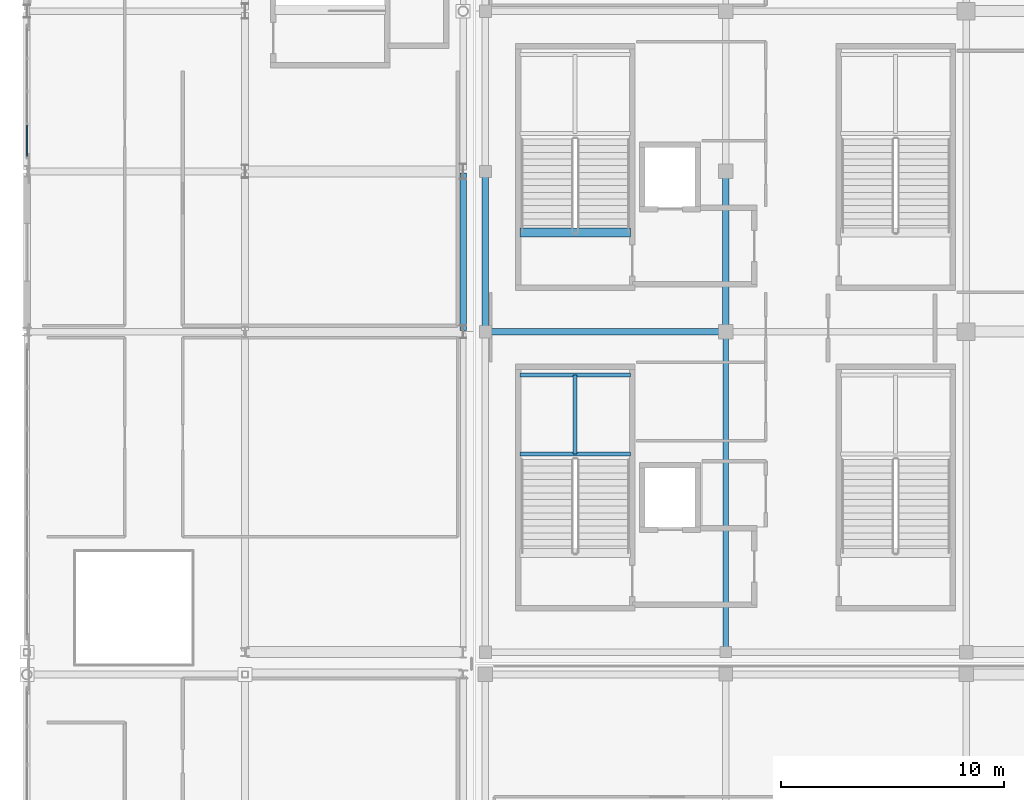
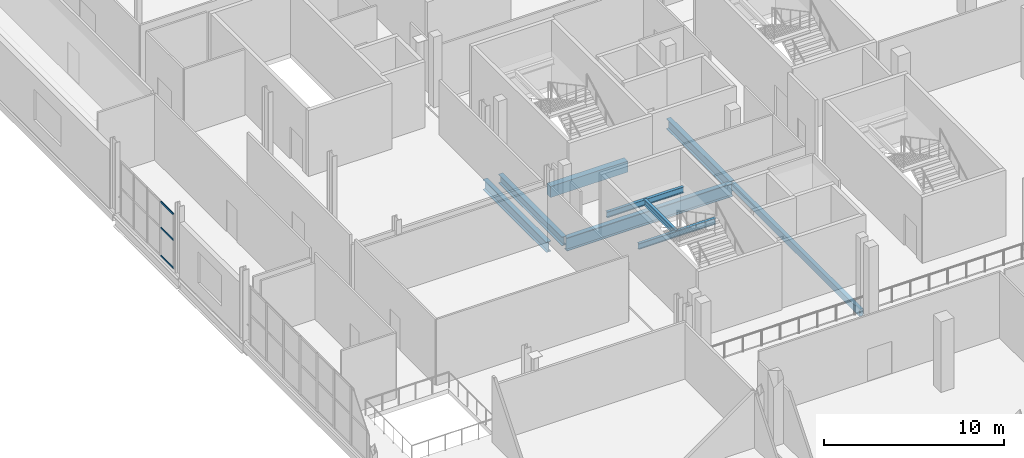
# One storey, part 19 of 142: 9 beams, 3 members, 1 element without a shape of its own.
"""IFC4 building model written with IfcOpenShell, lengths in metres."""

from ifc_helpers import new_model, si_unit, direction, frame, origin, origin_2d, place, context, subcontext, project, spatial, rectangle, hollow_rectangle, i_section, extrude, material, material_profile, profile_set, type_object, element, aggregate, save


model = new_model("IFC4")

# Units and contexts
model_context = context("Model", 3, precision=1e-05, world=origin(), true_north=direction((0.0, 1.0)))
body_context = subcontext(model_context, "Body", "Model", "MODEL_VIEW")
ifc_project = project(units=[si_unit("LENGTHUNIT", "METRE"), si_unit("AREAUNIT", "SQUARE_METRE"), si_unit("VOLUMEUNIT", "CUBIC_METRE"), si_unit("PLANEANGLEUNIT", "RADIAN"), si_unit("MASSUNIT", "GRAM", prefix="KILO")], contexts=[model_context])

# Site, building, storey
site_placement = place(None, origin())
site = spatial("IfcSite", under=ifc_project, at=site_placement, CompositionType="ELEMENT")
building_placement = place(site_placement, origin())
building = spatial("IfcBuilding", under=site, at=building_placement, Name="Koshinbarg Plaza Stadium", CompositionType="ELEMENT")
storey_placement = place(building_placement, frame((0.0, 0.0, 10.199951171875)))
storey = spatial("IfcBuildingStorey", under=building, at=storey_placement, Name="L02", CompositionType="ELEMENT", Elevation=10.199951171875)

# Beams
ifc_material_1 = material(Name="Concrete C40/50", Category="concrete")
ifc_material_profile_1 = material_profile(ifc_material_1, rectangle(XDim=0.39990234375, YDim=0.75, at=origin_2d()), Name="RC 400x750")
ifc_profile_set_1 = profile_set([ifc_material_profile_1], Name="Concrete C40/50")
beam_type_1 = type_object("IfcBeamType", Name="BM-RCG-03", PredefinedType="USERDEFINED", material=ifc_profile_set_1)
beam_1_placement = place(storey_placement, frame((26.14990234375, 44.360107421875, -0.375), z_axis=(1.0, 0.0, 0.0), x_axis=(0.0, 1.0, 0.0)))
element("IfcBeam", 1, at=beam_1_placement, inside=storey, type_object=beam_type_1, Name="L02 stair landing header beam C02", ObjectType="GIRDER", PredefinedType="USERDEFINED", context=body_context, shape_type="SweptSolid", body=[
    extrude(rectangle(XDim=0.39990234375, YDim=0.75, at=origin_2d()), origin(), (0.0, 0.0, 1.0), 4.97021484375),
])
ifc_material_2 = material(Name="Steel S355", Category="steel")
ifc_material_profile_2 = material_profile(ifc_material_2, i_section(OverallWidth=0.179931640625, OverallDepth=0.39990234375, WebThickness=0.008544921875, FlangeThickness=0.013427734375, at=origin_2d()), Name="IPE 400")
ifc_profile_set_2 = profile_set([ifc_material_profile_2], Name="Steel S355")
beam_type_2 = type_object("IfcBeamType", Name="BM-SBM-01", PredefinedType="BEAM", material=ifc_profile_set_2)
for number, where, z_axis, x_axis, name in (
    (2, (26.14990234375, 34.409912109375, 1.880126953125), (1.0, 0.0, 0.0), (0.0, 1.0, 0.0), "L02 Protected Exit Stair C01 landing trimmer beam 1"),
    (3, (26.14990234375, 37.949951171875, 1.880126953125), (1.0, 0.0, 0.0), (0.0, 1.0, 0.0), "L02 Protected Exit Stair C01 landing trimmer beam 2"),
):
    element("IfcBeam", number, at=place(storey_placement, frame(where, z_axis=z_axis, x_axis=x_axis)), inside=storey, type_object=beam_type_2, Name=name, PredefinedType="BEAM", context=body_context, shape_type="SweptSolid", body=[
        extrude(i_section(OverallWidth=0.179931640625, OverallDepth=0.39990234375, WebThickness=0.008544921875, FlangeThickness=0.013427734375, at=origin_2d()), origin(), (0.0, 0.0, 1.0), 4.97021484375),
    ])
beam_2_placement = place(storey_placement, frame((28.635009765625, 34.409912109375, 1.880126953125), z_axis=(0.0, 1.0, 0.0), x_axis=(-1.0, 0.0, 0.0)))
element("IfcBeam", 4, at=beam_2_placement, inside=storey, type_object=beam_type_2, Name="L02 Protected Exit Stair C01 landing trimmer beam 3", PredefinedType="BEAM", context=body_context, shape_type="SweptSolid", body=[
    extrude(i_section(OverallWidth=0.179931640625, OverallDepth=0.39990234375, WebThickness=0.008544921875, FlangeThickness=0.013427734375, at=origin_2d()), origin(), (0.0, 0.0, 1.0), 3.5400390625),
])
ifc_material_profile_3 = material_profile(ifc_material_2, i_section(OverallWidth=0.300048828125, OverallDepth=0.60009765625, WebThickness=0.015380859375, FlangeThickness=0.030029296875, at=origin_2d()), Name="HEB 600")
ifc_profile_set_3 = profile_set([ifc_material_profile_3], Name="Steel S355")
beam_type_3 = type_object("IfcBeamType", Name="BM-SGIR-02", PredefinedType="USERDEFINED", material=ifc_profile_set_3)
beam_3_placement = place(storey_placement, frame((24.60009765625, 39.9599609375, -0.599853515625), z_axis=(0.0, 1.0, 0.0), x_axis=(-1.0, 0.0, 0.0)))
element("IfcBeam", 5, at=beam_3_placement, inside=storey, type_object=beam_type_3, Name="L02 Y girder 5/F-G", ObjectType="GIRDER", PredefinedType="USERDEFINED", context=body_context, shape_type="SweptSolid", body=[
    extrude(i_section(OverallWidth=0.300048828125, OverallDepth=0.60009765625, WebThickness=0.015380859375, FlangeThickness=0.030029296875, at=origin_2d()), origin(), (0.0, 0.0, 1.0), 7.080078125),
])
ifc_material_profile_4 = material_profile(ifc_material_2, i_section(OverallWidth=0.300048828125, OverallDepth=0.699951171875, WebThickness=0.01708984375, FlangeThickness=0.031982421875, at=origin_2d()), Name="HEB 700")
ifc_profile_set_4 = profile_set([ifc_material_profile_4], Name="Steel S355")
beam_type_4 = type_object("IfcBeamType", Name="BM-SGIR-03", PredefinedType="USERDEFINED", material=ifc_profile_set_4)
for number, where, z_axis, x_axis, name in (
    (6, (23.60009765625, 39.9599609375, -0.64990234375), (0.0, 1.0, 0.0), (-1.0, 0.0, 0.0), "L02 Y girder 4/F-G"),
    (7, (35.39990234375, 39.9599609375, -0.64990234375), (0.0, 1.0, 0.0), (-1.0, 0.0, 0.0), "L02 Y girder 6/F-G"),
):
    element("IfcBeam", number, at=place(storey_placement, frame(where, z_axis=z_axis, x_axis=x_axis)), inside=storey, type_object=beam_type_4, Name=name, ObjectType="GIRDER", PredefinedType="USERDEFINED", context=body_context, shape_type="SweptSolid", body=[
        extrude(i_section(OverallWidth=0.300048828125, OverallDepth=0.699951171875, WebThickness=0.01708984375, FlangeThickness=0.031982421875, at=origin_2d()), origin(), (0.0, 0.0, 1.0), 7.080078125),
    ])
ifc_material_profile_5 = material_profile(ifc_material_2, i_section(OverallWidth=0.300048828125, OverallDepth=0.89990234375, WebThickness=0.0185546875, FlangeThickness=0.034912109375, at=origin_2d()), Name="HEB 900")
ifc_profile_set_5 = profile_set([ifc_material_profile_5], Name="Steel S355")
beam_type_5 = type_object("IfcBeamType", Name="BM-SGIR-05", PredefinedType="USERDEFINED", material=ifc_profile_set_5)
beam_4_placement = place(storey_placement, frame((24.659912109375, 39.89990234375, -0.75), z_axis=(1.0, 0.0, 0.0), x_axis=(0.0, 1.0, 0.0)))
element("IfcBeam", 8, at=beam_4_placement, inside=storey, type_object=beam_type_5, Name="L02 X girder F/5-6", ObjectType="GIRDER", PredefinedType="USERDEFINED", context=body_context, shape_type="SweptSolid", body=[
    extrude(i_section(OverallWidth=0.300048828125, OverallDepth=0.89990234375, WebThickness=0.0185546875, FlangeThickness=0.034912109375, at=origin_2d()), origin(), (0.0, 0.0, 1.0), 10.68017578125),
])
ifc_material_profile_6 = material_profile(ifc_material_2, hollow_rectangle(XDim=0.25, YDim=0.449951171875, WallThickness=0.01611328125, at=origin_2d()), Name="RHS 450x250x16")
ifc_profile_set_6 = profile_set([ifc_material_profile_6], Name="Steel S355")
beam_type_6 = type_object("IfcBeamType", Name="BM-SGIR-06", PredefinedType="USERDEFINED", material=ifc_profile_set_6)
beam_5_placement = place(storey_placement, frame((35.39990234375, 25.56005859375, -0.52490234375), z_axis=(0.0, 1.0, 0.0), x_axis=(-1.0, 0.0, 0.0)))
element("IfcBeam", 9, at=beam_5_placement, inside=storey, type_object=beam_type_6, Name="L02 Y girder 6/E-F", ObjectType="GIRDER", PredefinedType="USERDEFINED", context=body_context, shape_type="SweptSolid", body=[
    extrude(hollow_rectangle(XDim=0.25, YDim=0.449951171875, WallThickness=0.01611328125, at=origin_2d()), origin(), (0.0, 0.0, 1.0), 14.280029296875),
])

# Curtain wall, members
ifc_material_3 = material(Name="Thermally broken anodised aluminium and low-E double glazing", Category="aluminium")
curtain_wall_type = type_object("IfcCurtainWallType", Name="CW-SYS-09", PredefinedType="NOTDEFINED", material=ifc_material_3)
curtain_wall_placement = place(storey_placement, origin())
curtain_wall = element("IfcCurtainWall", 10, at=curtain_wall_placement, inside=storey, type_object=curtain_wall_type, Name="L02 unitised curtain wall CW-L02-040", PredefinedType="NOTDEFINED")
ifc_material_4 = material(Name="Anodised aluminium transom", Category="aluminium")
ifc_material_profile_7 = material_profile(ifc_material_4, rectangle(XDim=0.06005859375, YDim=0.110107421875, at=origin_2d()), Name="ALU 60x110")
ifc_profile_set_7 = profile_set([ifc_material_profile_7], Name="Anodised aluminium transom")
member_type = type_object("IfcMemberType", Name="CW-TRN-01", PredefinedType="USERDEFINED", material=ifc_profile_set_7)
member_1_placement = place(storey_placement, frame((4.0, 47.780029296875, 0.030029296875), z_axis=(0.0, 1.0, 0.0), x_axis=(-1.0, 0.0, 0.0)))
member_1 = element("IfcMember", 11, at=member_1_placement, type_object=member_type, Name="CW09 transom 1.1", ObjectType="TRANSOM", PredefinedType="USERDEFINED", context=body_context, shape_type="SweptSolid", body=[
    extrude(rectangle(XDim=0.06005859375, YDim=0.110107421875, at=origin_2d()), origin(), (0.0, 0.0, 1.0), 1.39990234375),
])
member_2_placement = place(storey_placement, frame((4.0, 47.780029296875, 1.9345703125), z_axis=(0.0, 1.0, 0.0), x_axis=(-1.0, 0.0, 0.0)))
member_2 = element("IfcMember", 12, at=member_2_placement, type_object=member_type, Name="CW09 transom 1.2", ObjectType="TRANSOM", PredefinedType="USERDEFINED", context=body_context, shape_type="SweptSolid", body=[
    extrude(rectangle(XDim=0.06005859375, YDim=0.110107421875, at=origin_2d()), origin(), (0.0, 0.0, 1.0), 1.39990234375),
])
member_3_placement = place(storey_placement, frame((4.0, 47.780029296875, 3.68994140625), z_axis=(0.0, 1.0, 0.0), x_axis=(-1.0, 0.0, 0.0)))
member_3 = element("IfcMember", 13, at=member_3_placement, type_object=member_type, Name="CW09 transom 1.3", ObjectType="TRANSOM", PredefinedType="USERDEFINED", context=body_context, shape_type="SweptSolid", body=[
    extrude(rectangle(XDim=0.06005859375, YDim=0.110107421875, at=origin_2d()), origin(), (0.0, 0.0, 1.0), 1.39990234375),
])
aggregate(curtain_wall, [member_1, member_2, member_3])

save(model, "model.ifc")
